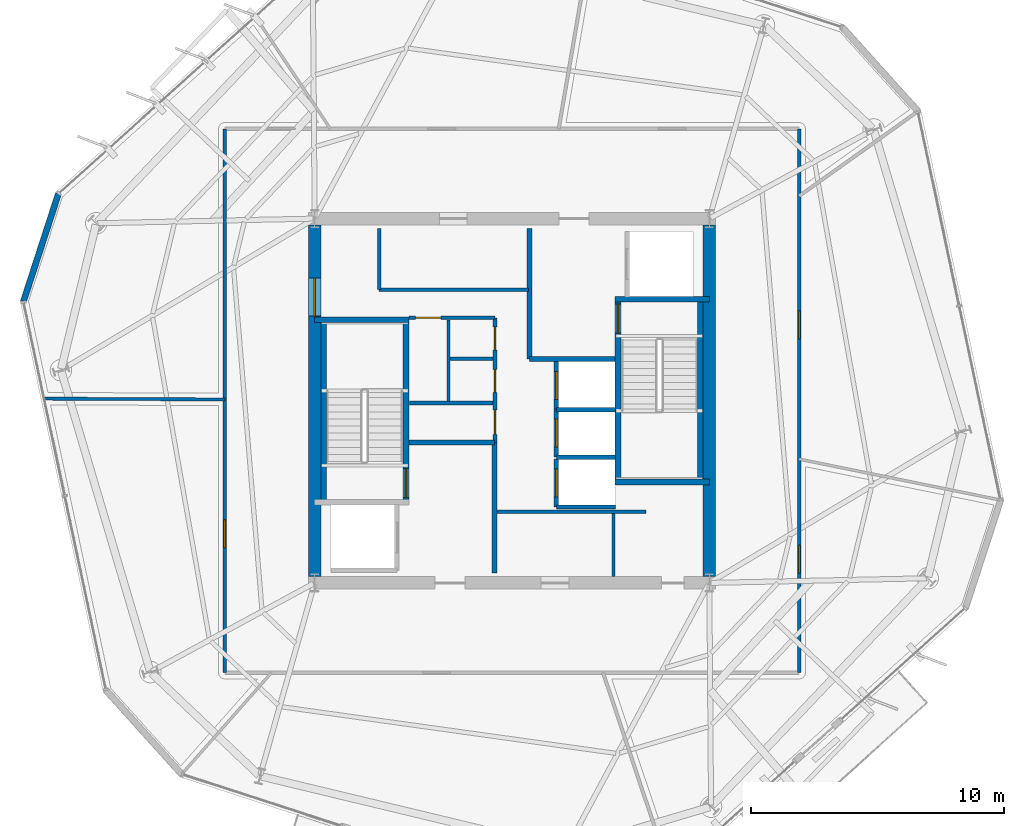
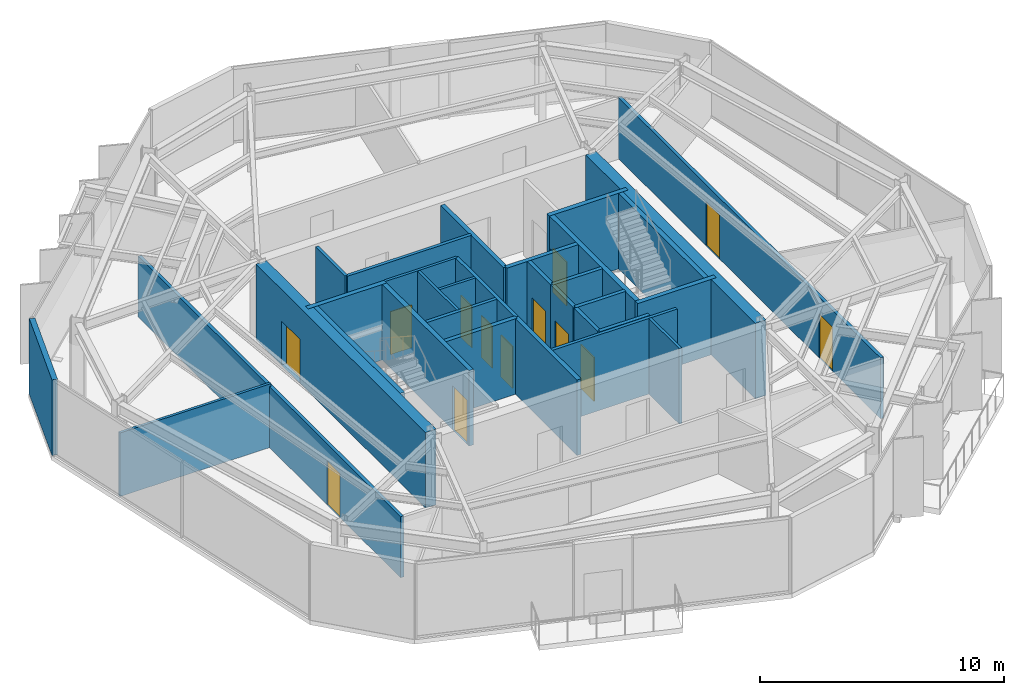
# One storey, part 7 of 11: 32 walls, 13 doors, 13 openings.
"""IFC4 building model written with IfcOpenShell, lengths in metres."""

from ifc_helpers import new_model, si_unit, direction, frame, frame_2d, origin, place, context, subcontext, project, spatial, rectangle, extrude, material, layer, layer_set, type_object, element, fill, save


model = new_model("IFC4")

# Units and contexts
model_context = context("Model", 3, precision=1e-05, world=origin(), true_north=direction((0.0, 1.0)))
body_context = subcontext(model_context, "Body", "Model", "MODEL_VIEW")
ifc_project = project(units=[si_unit("LENGTHUNIT", "METRE"), si_unit("AREAUNIT", "SQUARE_METRE"), si_unit("VOLUMEUNIT", "CUBIC_METRE"), si_unit("PLANEANGLEUNIT", "RADIAN"), si_unit("MASSUNIT", "GRAM", prefix="KILO")], contexts=[model_context])

# Site, building, storey
site_placement = place(None, origin())
site = spatial("IfcSite", under=ifc_project, at=site_placement, CompositionType="ELEMENT")
building_placement = place(site_placement, origin())
building = spatial("IfcBuilding", under=site, at=building_placement, Name="Kranzbogen Civic Tower", CompositionType="ELEMENT")
storey_placement = place(building_placement, frame((0.0, 0.0, 192.800048828125)))
storey = spatial("IfcBuildingStorey", under=building, at=storey_placement, Name="L46", CompositionType="ELEMENT", Elevation=192.800048828125)

# Walls
ifc_material_1 = material(Name="Double-Stud Acoustic Gypsum Partition")
ifc_layer_1 = layer(ifc_material_1, 0.14990234375, Name="Double-Stud Acoustic Gypsum Partition")
ifc_layer_set_1 = layer_set([ifc_layer_1], Name="Double-Stud Acoustic Gypsum Partition")
wall_type_1 = type_object("IfcWallType", Name="Acoustic Corridor and Clinical Partition 150 mm", PredefinedType="PARTITIONING", material=ifc_layer_set_1)
wall_1_placement = place(storey_placement, frame((24.39990234375, 20.610107421875, 0.0), z_axis=(0.0, 0.0, 1.0), x_axis=(1.0, 0.0, 0.0)))
element("IfcWall", 1, at=wall_1_placement, inside=storey, type_object=wall_type_1, Name="L46 records zone North wall", PredefinedType="PARTITIONING", context=body_context, shape_type="SweptSolid", body=[
    extrude(rectangle(XDim=5.900146484375, YDim=0.14990234375, at=frame_2d((2.9501953125, 0.0))), origin(), (0.0, 0.0, 1.0), 3.780029296875),
])
wall_2_placement = place(storey_placement, frame((19.75, 29.389892578125, 0.0), z_axis=(0.0, 0.0, 1.0), x_axis=(1.0, 0.0, 0.0)))
element("IfcWall", 2, at=wall_2_placement, inside=storey, type_object=wall_type_1, Name="L46 digital comms South wall", PredefinedType="PARTITIONING", context=body_context, shape_type="SweptSolid", body=[
    extrude(rectangle(XDim=5.89990234375, YDim=0.14990234375, at=frame_2d((2.949951171875, 0.0))), origin(), (0.0, 0.0, 1.0), 3.780029296875),
])
wall_3_placement = place(storey_placement, frame((19.75, 29.389892578125, 0.0), z_axis=(0.0, 0.0, 1.0), x_axis=(0.0, 1.0, 0.0)))
element("IfcWall", 3, at=wall_3_placement, inside=storey, type_object=wall_type_1, Name="L46 digital comms West wall", PredefinedType="PARTITIONING", context=body_context, shape_type="SweptSolid", body=[
    extrude(rectangle(XDim=2.41015625, YDim=0.14990234375, at=frame_2d((1.205078125, 0.0))), origin(), (0.0, 0.0, 1.0), 3.780029296875),
])

# Wall, openings, doors
wall_4_placement = place(storey_placement, frame((36.35009765625, 35.75, 0.0), z_axis=(0.0, 0.0, 1.0), x_axis=(0.0, -1.0, 0.0)))
wall_4 = element("IfcWall", 4, at=wall_4_placement, inside=storey, type_object=wall_type_1, Name="L46 corridor partition 02", PredefinedType="PARTITIONING", context=body_context, shape_type="SweptSolid", body=[
    extrude(rectangle(XDim=21.5, YDim=0.14990234375, at=frame_2d((10.75, 0.0))), origin(), (0.0, 0.0, 1.0), 3.050048828125),
])
opening_1_placement = place(wall_4_placement, frame((16.4619140625, 0.0, 0.0)))
opening_1 = element("IfcOpeningElement", 5, at=opening_1_placement, cuts=wall_4, Name="Opening D-COR60", PredefinedType="OPENING", context=body_context, shape_type="SweptSolid", body=[
    extrude(rectangle(XDim=1.10009765625, YDim=2.199951171875, at=frame_2d((0.550048828125, 1.10009765625))), frame((0.0, 0.0849609375, 0.0), z_axis=(0.0, -1.0, 0.0), x_axis=(1.0, 0.0, 0.0)), (0.0, 0.0, 1.0), 0.169921875),
])
opening_2_placement = place(wall_4_placement, frame((7.196044921875, 0.0, 0.0)))
opening_2 = element("IfcOpeningElement", 6, at=opening_2_placement, cuts=wall_4, Name="Opening D-COR60", PredefinedType="OPENING", context=body_context, shape_type="SweptSolid", body=[
    extrude(rectangle(XDim=1.10009765625, YDim=2.199951171875, at=frame_2d((0.550048828125, 1.10009765625))), frame((0.0, 0.0849609375, 0.0), z_axis=(0.0, -1.0, 0.0), x_axis=(1.0, 0.0, 0.0)), (0.0, 0.0, 1.0), 0.169921875),
])
ifc_material_2 = material(Name="Oak Timber and Fire Core", Category="wood")
door_type_1 = type_object("IfcDoorType", Name="Corridor Acoustic Fire Door 1100x2200", OperationType="NOTDEFINED", PredefinedType="DOOR", material=ifc_material_2)
door_1_placement = place(opening_1_placement, origin())
door_1 = element("IfcDoor", 7, at=door_1_placement, inside=storey, type_object=door_type_1, Name="L46 Cultural Screening Clubroom door", OperationType="SINGLE_SWING_LEFT", OverallHeight=2.199951171875, OverallWidth=1.10009765625, PredefinedType="DOOR", context=body_context, shape_type="SweptSolid", body=[
    extrude(rectangle(XDim=1.10009765625, YDim=2.199951171875, at=frame_2d((0.550048828125, 1.10009765625))), frame((0.0, 0.02490234375, 0.0), z_axis=(0.0, -1.0, 0.0), x_axis=(1.0, 0.0, 0.0)), (0.0, 0.0, 1.0), 0.050048828125),
])
fill(opening_1, door_1)
door_2_placement = place(opening_2_placement, origin())
door_2 = element("IfcDoor", 8, at=door_2_placement, inside=storey, type_object=door_type_1, Name="L46 Operations Security Control Room door", OperationType="SINGLE_SWING_RIGHT", OverallHeight=2.199951171875, OverallWidth=1.10009765625, PredefinedType="DOOR", context=body_context, shape_type="SweptSolid", body=[
    extrude(rectangle(XDim=1.10009765625, YDim=2.199951171875, at=frame_2d((0.550048828125, 1.10009765625))), frame((0.0, 0.02490234375, 0.0), z_axis=(0.0, -1.0, 0.0), x_axis=(1.0, 0.0, 0.0)), (0.0, 0.0, 1.0), 0.050048828125),
])
fill(opening_2, door_2)

# Wall, opening, door
wall_5_placement = place(storey_placement, frame((13.64990234375, 14.25, 0.0), z_axis=(0.0, 0.0, 1.0), x_axis=(0.0, 1.0, 0.0)))
wall_5 = element("IfcWall", 9, at=wall_5_placement, inside=storey, type_object=wall_type_1, Name="L46 corridor partition 04", PredefinedType="PARTITIONING", context=body_context, shape_type="SweptSolid", body=[
    extrude(rectangle(XDim=21.5, YDim=0.14990234375, at=frame_2d((10.75, 0.0))), origin(), (0.0, 0.0, 1.0), 3.050048828125),
])
opening_3_placement = place(wall_5_placement, frame((4.946044921875, 0.0, 0.0)))
opening_3 = element("IfcOpeningElement", 10, at=opening_3_placement, cuts=wall_5, Name="Opening D-COR60", PredefinedType="OPENING", context=body_context, shape_type="SweptSolid", body=[
    extrude(rectangle(XDim=1.10009765625, YDim=2.199951171875, at=frame_2d((0.550048828125, 1.10009765625))), frame((0.0, 0.0849609375, 0.0), z_axis=(0.0, -1.0, 0.0), x_axis=(1.0, 0.0, 0.0)), (0.0, 0.0, 1.0), 0.169921875),
])
door_3_placement = place(opening_3_placement, origin())
door_3 = element("IfcDoor", 11, at=door_3_placement, inside=storey, type_object=door_type_1, Name="L46 Civic Reference Library door", OperationType="SINGLE_SWING_LEFT", OverallHeight=2.199951171875, OverallWidth=1.10009765625, PredefinedType="DOOR", context=body_context, shape_type="SweptSolid", body=[
    extrude(rectangle(XDim=1.10009765625, YDim=2.199951171875, at=frame_2d((0.550048828125, 1.10009765625))), frame((0.0, 0.02490234375, 0.0), z_axis=(0.0, -1.0, 0.0), x_axis=(1.0, 0.0, 0.0)), (0.0, 0.0, 1.0), 0.050048828125),
])
fill(opening_3, door_3)

ifc_material_3 = material(Name="Insulated Metal-Stud Gypsum Partition")
ifc_layer_2 = layer(ifc_material_3, 0.125, Name="Insulated Metal-Stud Gypsum Partition")
ifc_layer_set_2 = layer_set([ifc_layer_2], Name="Insulated Metal-Stud Gypsum Partition")
wall_type_2 = type_object("IfcWallType", Name="Acoustic Inter-Room Partition 125 mm", PredefinedType="PARTITIONING", material=ifc_layer_set_2)
wall_6_placement = place(storey_placement, frame((20.919921875, 28.280029296875, 0.0), z_axis=(0.0, 0.0, 1.0), x_axis=(1.0, 0.0, 0.0)))
wall_6 = element("IfcWall", 12, at=wall_6_placement, inside=storey, type_object=wall_type_2, Name="L46 core auxiliary North wall", PredefinedType="PARTITIONING", context=body_context, shape_type="SweptSolid", body=[
    extrude(rectangle(XDim=3.405029296875, YDim=0.125, at=frame_2d((1.70263671875, 0.0))), origin(), (0.0, 0.0, 1.0), 3.780029296875),
])
opening_4_placement = place(wall_6_placement, frame((0.27001953125, 0.0, 0.0)))
opening_4 = element("IfcOpeningElement", 13, at=opening_4_placement, cuts=wall_6, Name="Opening D-RSR10", PredefinedType="OPENING", context=body_context, shape_type="SweptSolid", body=[
    extrude(rectangle(XDim=1.0, YDim=2.14990234375, at=frame_2d((0.5, 1.074951171875))), frame((0.0, 0.072509765625, 0.0), z_axis=(0.0, -1.0, 0.0), x_axis=(1.0, 0.0, 0.0)), (0.0, 0.0, 1.0), 0.14501953125),
])
door_type_2 = type_object("IfcDoorType", Name="Core Archive and Riser Fire Door 1000x2150", OperationType="NOTDEFINED", PredefinedType="DOOR", material=ifc_material_2)
door_4_placement = place(opening_4_placement, origin())
door_4 = element("IfcDoor", 14, at=door_4_placement, inside=storey, type_object=door_type_2, Name="L46 Floor Supply Store door", OperationType="SINGLE_SWING_LEFT", OverallHeight=2.14990234375, OverallWidth=1.0, PredefinedType="DOOR", context=body_context, shape_type="SweptSolid", body=[
    extrude(rectangle(XDim=1.0, YDim=2.14990234375, at=frame_2d((0.5, 1.074951171875))), frame((0.0, 0.02490234375, 0.0), z_axis=(0.0, -1.0, 0.0), x_axis=(1.0, 0.0, 0.0)), (0.0, 0.0, 1.0), 0.050048828125),
])
fill(opening_4, door_4)

# Walls
wall_7_placement = place(storey_placement, frame((29.010009765625, 18.050048828125, 0.0), z_axis=(0.0, 0.0, 1.0), x_axis=(0.0, 1.0, 0.0)))
element("IfcWall", 15, at=wall_7_placement, inside=storey, type_object=wall_type_2, Name="L46 core auxiliary partition 1", PredefinedType="PARTITIONING", context=body_context, shape_type="SweptSolid", body=[
    extrude(rectangle(XDim=2.5, YDim=0.125, at=frame_2d((1.25, 0.0))), origin(), (0.0, 0.0, 1.0), 3.780029296875),
])
wall_8_placement = place(storey_placement, frame((22.489990234375, 24.969970703125, 0.0), z_axis=(0.0, 0.0, 1.0), x_axis=(0.0, 1.0, 0.0)))
element("IfcWall", 16, at=wall_8_placement, inside=storey, type_object=wall_type_2, Name="L46 core auxiliary partition 3", PredefinedType="PARTITIONING", context=body_context, shape_type="SweptSolid", body=[
    extrude(rectangle(XDim=3.22998046875, YDim=0.125, at=frame_2d((1.614990234375, 0.0))), origin(), (0.0, 0.0, 1.0), 3.780029296875),
])
wall_9_placement = place(storey_placement, frame((22.550048828125, 26.659912109375, 0.0), z_axis=(0.0, 0.0, 1.0), x_axis=(1.0, 0.0, 0.0)))
element("IfcWall", 17, at=wall_9_placement, inside=storey, type_object=wall_type_2, Name="L46 core auxiliary partition 4", PredefinedType="PARTITIONING", context=body_context, shape_type="SweptSolid", body=[
    extrude(rectangle(XDim=1.699951171875, YDim=0.125, at=frame_2d((0.85009765625, 0.0))), origin(), (0.0, 0.0, 1.0), 3.780029296875),
])
wall_10_placement = place(storey_placement, frame((13.64990234375, 25.051025390625, 0.0), z_axis=(0.0, 0.0, 1.0), x_axis=(-0.999989303988, 0.004625138963, 0.0)))
element("IfcWall", 18, at=wall_10_placement, inside=storey, type_object=wall_type_2, Name="L46 radial room partition 03", PredefinedType="PARTITIONING", context=body_context, shape_type="SweptSolid", body=[
    extrude(rectangle(XDim=7.1259765625, YDim=0.125, at=frame_2d((3.56298828125, 0.0))), origin(), (0.0, 0.0, 1.0), 3.179931640625),
])

# Wall, opening, door
ifc_material_4 = material(Name="Concrete C45/55", Category="concrete")
ifc_layer_3 = layer(ifc_material_4, 0.5, Name="Concrete C45/55")
ifc_layer_set_3 = layer_set([ifc_layer_3], Name="Concrete C45/55")
wall_type_3 = type_object("IfcWallType", Name="Central Core Shear Wall 500 mm", PredefinedType="SHEAR", material=ifc_layer_set_3)
wall_11_placement = place(storey_placement, frame((17.199951171875, 31.949951171875, 0.0), z_axis=(0.0, 0.0, 1.0), x_axis=(0.0, -1.0, 0.0)))
wall_11 = element("IfcWall", 19, at=wall_11_placement, inside=storey, type_object=wall_type_3, Name="L46 central core West shear wall", PredefinedType="SHEAR", context=body_context, shape_type="SweptSolid", body=[
    extrude(rectangle(XDim=13.89990234375, YDim=0.5, at=frame_2d((6.949951171875, 0.0))), origin(), (0.0, 0.0, 1.0), 3.780029296875),
])
opening_5_placement = place(wall_11_placement, frame((2.10009765625, 0.0, 0.0)))
opening_5 = element("IfcOpeningElement", 20, at=opening_5_placement, cuts=wall_11, Name="Opening D-DBL15", PredefinedType="OPENING", context=body_context, shape_type="SweptSolid", body=[
    extrude(rectangle(XDim=1.5, YDim=2.199951171875, at=frame_2d((0.75, 1.10009765625))), frame((0.0, 0.260009765625, 0.0), z_axis=(0.0, -1.0, 0.0), x_axis=(1.0, 0.0, 0.0)), (0.0, 0.0, 1.0), 0.52001953125),
])
ifc_material_5 = material(Name="Anodised Bronze and Glass", Category="glass")
door_type_3 = type_object("IfcDoorType", Name="Civic Lobby Double Door 1500x2200", OperationType="DOUBLE_DOOR_SINGLE_SWING", PredefinedType="DOOR", material=ifc_material_5)
door_5_placement = place(opening_5_placement, origin())
door_5 = element("IfcDoor", 21, at=door_5_placement, inside=storey, type_object=door_type_3, Name="L46 Central Lift Lobby West concourse door", OperationType="DOUBLE_DOOR_SINGLE_SWING", OverallHeight=2.199951171875, OverallWidth=1.5, PredefinedType="DOOR", context=body_context, shape_type="SweptSolid", body=[
    extrude(rectangle(XDim=1.5, YDim=2.199951171875, at=frame_2d((0.75, 1.10009765625))), frame((0.0, 0.02490234375, 0.0), z_axis=(0.0, -1.0, 0.0), x_axis=(1.0, 0.0, 0.0)), (0.0, 0.0, 1.0), 0.050048828125),
])
fill(opening_5, door_5)

# Wall
wall_12_placement = place(storey_placement, frame((32.800048828125, 18.050048828125, 0.0), z_axis=(0.0, 0.0, 1.0), x_axis=(0.0, 1.0, 0.0)))
element("IfcWall", 22, at=wall_12_placement, inside=storey, type_object=wall_type_3, Name="L46 central core East shear wall", PredefinedType="SHEAR", context=body_context, shape_type="SweptSolid", body=[
    extrude(rectangle(XDim=13.89990234375, YDim=0.5, at=frame_2d((6.949951171875, 0.0))), origin(), (0.0, 0.0, 1.0), 3.780029296875),
])

# Wall, opening, door
ifc_layer_4 = layer(ifc_material_4, 0.219970703125, Name="Concrete C45/55")
ifc_layer_set_4 = layer_set([ifc_layer_4], Name="Concrete C45/55")
wall_type_4 = type_object("IfcWallType", Name="Core Internal Stair Structural Wall 220 mm", PredefinedType="SOLIDWALL", material=ifc_layer_set_4)
wall_13_placement = place(storey_placement, frame((20.81005859375, 20.989990234375, 0.0), z_axis=(0.0, 0.0, 1.0), x_axis=(0.0, 1.0, 0.0)))
wall_13 = element("IfcWall", 23, at=wall_13_placement, inside=storey, type_object=wall_type_4, Name="L46 ST-T1 East structural stair wall", PredefinedType="SOLIDWALL", context=body_context, shape_type="SweptSolid", body=[
    extrude(rectangle(XDim=7.219970703125, YDim=0.219970703125, at=frame_2d((3.60986328125, 0.0))), origin(), (0.0, 0.0, 1.0), 3.780029296875),
])
opening_6_placement = place(wall_13_placement, frame((0.179931640625, 0.0, 0.0)))
opening_6 = element("IfcOpeningElement", 24, at=opening_6_placement, cuts=wall_13, Name="Opening D-ST90", PredefinedType="OPENING", context=body_context, shape_type="SweptSolid", body=[
    extrude(rectangle(XDim=1.14990234375, YDim=2.199951171875, at=frame_2d((0.574951171875, 1.10009765625))), frame((0.0, 0.1201171875, 0.0), z_axis=(0.0, -1.0, 0.0), x_axis=(1.0, 0.0, 0.0)), (0.0, 0.0, 1.0), 0.239990234375),
])
ifc_material_6 = material(Name="Steel S355", Category="steel")
door_type_4 = type_object("IfcDoorType", Name="Pressurized Stair and Lobby Fire Door 1150x2200", OperationType="NOTDEFINED", PredefinedType="DOOR", material=ifc_material_6)
door_6_placement = place(opening_6_placement, origin())
door_6 = element("IfcDoor", 25, at=door_6_placement, inside=storey, type_object=door_type_4, Name="L46 Stair ST-T1 fire door", OperationType="SINGLE_SWING_RIGHT", OverallHeight=2.199951171875, OverallWidth=1.14990234375, PredefinedType="DOOR", context=body_context, shape_type="SweptSolid", body=[
    extrude(rectangle(XDim=1.14990234375, YDim=2.199951171875, at=frame_2d((0.574951171875, 1.10009765625))), frame((0.0, 0.02490234375, 0.0), z_axis=(0.0, -1.0, 0.0), x_axis=(1.0, 0.0, 0.0)), (0.0, 0.0, 1.0), 0.050048828125),
])
fill(opening_6, door_6)

# Walls
wall_14_placement = place(storey_placement, frame((17.199951171875, 28.2099609375, 0.0), z_axis=(0.0, 0.0, 1.0), x_axis=(1.0, 0.0, 0.0)))
element("IfcWall", 26, at=wall_14_placement, inside=storey, type_object=wall_type_4, Name="L46 ST-T1 North structural stair wall", PredefinedType="SOLIDWALL", context=body_context, shape_type="SweptSolid", body=[
    extrude(rectangle(XDim=3.719970703125, YDim=0.219970703125, at=frame_2d((1.85986328125, 0.0))), origin(), (0.0, 0.0, 1.0), 3.780029296875),
])
wall_15_placement = place(storey_placement, frame((17.554931640625, 28.2099609375, 0.0), z_axis=(0.0, 0.0, 1.0), x_axis=(0.0, -1.0, 0.0)))
element("IfcWall", 27, at=wall_15_placement, inside=storey, type_object=wall_type_4, Name="L46 ST-T1 West structural stair wall", PredefinedType="SOLIDWALL", context=body_context, shape_type="SweptSolid", body=[
    extrude(rectangle(XDim=7.219970703125, YDim=0.219970703125, at=frame_2d((3.60986328125, 0.0))), origin(), (0.0, 0.0, 1.0), 3.780029296875),
])

# Wall, opening, door
wall_16_placement = place(storey_placement, frame((29.18994140625, 21.7900390625, 0.0), z_axis=(0.0, 0.0, 1.0), x_axis=(0.0, 1.0, 0.0)))
wall_16 = element("IfcWall", 28, at=wall_16_placement, inside=storey, type_object=wall_type_4, Name="L46 ST-T2 West structural stair wall", PredefinedType="SOLIDWALL", context=body_context, shape_type="SweptSolid", body=[
    extrude(rectangle(XDim=7.219970703125, YDim=0.219970703125, at=frame_2d((3.60986328125, 0.0))), origin(), (0.0, 0.0, 1.0), 3.780029296875),
])
opening_7_placement = place(wall_16_placement, frame((5.8798828125, 0.0, 0.0)))
opening_7 = element("IfcOpeningElement", 29, at=opening_7_placement, cuts=wall_16, Name="Opening D-ST90", PredefinedType="OPENING", context=body_context, shape_type="SweptSolid", body=[
    extrude(rectangle(XDim=1.14990234375, YDim=2.199951171875, at=frame_2d((0.574951171875, 1.10009765625))), frame((0.0, 0.1201171875, 0.0), z_axis=(0.0, -1.0, 0.0), x_axis=(1.0, 0.0, 0.0)), (0.0, 0.0, 1.0), 0.239990234375),
])
door_7_placement = place(opening_7_placement, origin())
door_7 = element("IfcDoor", 30, at=door_7_placement, inside=storey, type_object=door_type_4, Name="L46 Stair ST-T2 fire door", OperationType="SINGLE_SWING_LEFT", OverallHeight=2.199951171875, OverallWidth=1.14990234375, PredefinedType="DOOR", context=body_context, shape_type="SweptSolid", body=[
    extrude(rectangle(XDim=1.14990234375, YDim=2.199951171875, at=frame_2d((0.574951171875, 1.10009765625))), frame((0.0, 0.02490234375, 0.0), z_axis=(0.0, -1.0, 0.0), x_axis=(1.0, 0.0, 0.0)), (0.0, 0.0, 1.0), 0.050048828125),
])
fill(opening_7, door_7)

# Walls
for number, where, z_axis, x_axis, name in (
    (31, (29.080078125, 21.7900390625, 0.0), (0.0, 0.0, 1.0), (1.0, 0.0, 0.0), "L46 ST-T2 South structural stair wall"),
    (32, (29.080078125, 29.010009765625, 0.0), (0.0, 0.0, 1.0), (1.0, 0.0, 0.0), "L46 ST-T2 North structural stair wall"),
):
    element("IfcWall", number, at=place(storey_placement, frame(where, z_axis=z_axis, x_axis=x_axis)), inside=storey, type_object=wall_type_4, Name=name, PredefinedType="SOLIDWALL", context=body_context, shape_type="SweptSolid", body=[
        extrude(rectangle(XDim=3.719970703125, YDim=0.219970703125, at=frame_2d((1.85986328125, 0.0))), origin(), (0.0, 0.0, 1.0), 3.780029296875),
    ])
wall_17_placement = place(storey_placement, frame((32.445068359375, 29.010009765625, 0.0), z_axis=(0.0, 0.0, 1.0), x_axis=(0.0, -1.0, 0.0)))
element("IfcWall", 33, at=wall_17_placement, inside=storey, type_object=wall_type_4, Name="L46 ST-T2 East structural stair wall", PredefinedType="SOLIDWALL", context=body_context, shape_type="SweptSolid", body=[
    extrude(rectangle(XDim=7.219970703125, YDim=0.219970703125, at=frame_2d((3.60986328125, 0.0))), origin(), (0.0, 0.0, 1.0), 3.780029296875),
])
ifc_material_7 = material(Name="Gypsum Fireboard and Concrete Block", Category="concrete")
ifc_layer_5 = layer(ifc_material_7, 0.199951171875, Name="Gypsum Fireboard and Concrete Block")
ifc_layer_set_5 = layer_set([ifc_layer_5], Name="Gypsum Fireboard and Concrete Block")
wall_type_5 = type_object("IfcWallType", Name="Fire-Rated Exit Passageway and Stair Wall 200 mm", PredefinedType="PARTITIONING", material=ifc_layer_set_5)
wall_18_placement = place(storey_placement, frame((24.300048828125, 18.199951171875, 0.0), z_axis=(0.0, 0.0, 1.0), x_axis=(0.0, 1.0, 0.0)))
element("IfcWall", 34, at=wall_18_placement, inside=storey, type_object=wall_type_5, Name="L46 West firefighting lobby East wall", PredefinedType="PARTITIONING", context=body_context, shape_type="SweptSolid", body=[
    extrude(rectangle(XDim=5.150146484375, YDim=0.199951171875, at=frame_2d((2.5751953125, 0.0))), origin(), (0.0, 0.0, 1.0), 3.780029296875),
])
wall_19_placement = place(storey_placement, frame((20.919921875, 23.35009765625, 0.0), z_axis=(0.0, 0.0, 1.0), x_axis=(1.0, 0.0, 0.0)))
element("IfcWall", 35, at=wall_19_placement, inside=storey, type_object=wall_type_5, Name="L46 West firefighting lobby North wall", PredefinedType="PARTITIONING", context=body_context, shape_type="SweptSolid", body=[
    extrude(rectangle(XDim=3.380126953125, YDim=0.199951171875, at=frame_2d((1.68994140625, 0.0))), origin(), (0.0, 0.0, 1.0), 3.780029296875),
])
wall_20_placement = place(storey_placement, frame((25.699951171875, 26.64990234375, 0.0), z_axis=(0.0, 0.0, 1.0), x_axis=(0.0, 1.0, 0.0)))
element("IfcWall", 36, at=wall_20_placement, inside=storey, type_object=wall_type_5, Name="L46 East firefighting lobby West wall", PredefinedType="PARTITIONING", context=body_context, shape_type="SweptSolid", body=[
    extrude(rectangle(XDim=5.150146484375, YDim=0.199951171875, at=frame_2d((2.5751953125, 0.0))), origin(), (0.0, 0.0, 1.0), 3.780029296875),
])
wall_21_placement = place(storey_placement, frame((25.699951171875, 26.64990234375, 0.0), z_axis=(0.0, 0.0, 1.0), x_axis=(1.0, 0.0, 0.0)))
element("IfcWall", 37, at=wall_21_placement, inside=storey, type_object=wall_type_5, Name="L46 East firefighting lobby South wall", PredefinedType="PARTITIONING", context=body_context, shape_type="SweptSolid", body=[
    extrude(rectangle(XDim=3.380126953125, YDim=0.199951171875, at=frame_2d((1.68994140625, 0.0))), origin(), (0.0, 0.0, 1.0), 3.780029296875),
])

# Wall, opening, door
ifc_material_8 = material(Name="Gypsum Fireboard Shaftliner")
ifc_layer_6 = layer(ifc_material_8, 0.175048828125, Name="Gypsum Fireboard Shaftliner")
ifc_layer_set_6 = layer_set([ifc_layer_6], Name="Gypsum Fireboard Shaftliner")
wall_type_6 = type_object("IfcWallType", Name="Fire-Rated Lift and Service Shaft Wall 175 mm", PredefinedType="PARTITIONING", material=ifc_layer_set_6)
wall_22_placement = place(storey_placement, frame((26.75, 20.800048828125, 0.0), z_axis=(0.0, 0.0, 1.0), x_axis=(0.0, 1.0, 0.0)))
wall_22 = element("IfcWall", 38, at=wall_22_placement, inside=storey, type_object=wall_type_6, Name="L46 lift HP-01 landing wall", PredefinedType="PARTITIONING", context=body_context, shape_type="SweptSolid", body=[
    extrude(rectangle(XDim=1.89990234375, YDim=0.175048828125, at=frame_2d((0.949951171875, 0.0))), origin(), (0.0, 0.0, 1.0), 3.780029296875),
])
opening_8_placement = place(wall_22_placement, frame((0.39990234375, 0.0, 0.0)))
opening_8 = element("IfcOpeningElement", 39, at=opening_8_placement, cuts=wall_22, Name="Opening LD-HP-01", PredefinedType="OPENING", context=body_context, shape_type="SweptSolid", body=[
    extrude(rectangle(XDim=1.10009765625, YDim=2.199951171875, at=frame_2d((0.550048828125, 1.10009765625))), frame((0.0, 0.09765625, 0.0), z_axis=(0.0, -1.0, 0.0), x_axis=(1.0, 0.0, 0.0)), (0.0, 0.0, 1.0), 0.195068359375),
])
ifc_material_9 = material(Name="Pale Anodised Aluminium", Category="aluminium")
door_type_5 = type_object("IfcDoorType", Name="Passenger Lift Sliding Landing Door 1100x2200", OperationType="DOUBLE_DOOR_SLIDING", PredefinedType="DOOR", material=ifc_material_9)
door_8_placement = place(opening_8_placement, origin())
door_8 = element("IfcDoor", 40, at=door_8_placement, inside=storey, type_object=door_type_5, Name="L46 lift HP-01 sliding landing door", OperationType="DOUBLE_DOOR_SLIDING", OverallHeight=2.199951171875, OverallWidth=1.10009765625, PredefinedType="DOOR", context=body_context, shape_type="SweptSolid", body=[
    extrude(rectangle(XDim=1.10009765625, YDim=2.199951171875, at=frame_2d((0.550048828125, 1.10009765625))), frame((0.0, 0.02490234375, 0.0), z_axis=(0.0, -1.0, 0.0), x_axis=(1.0, 0.0, 0.0)), (0.0, 0.0, 1.0), 0.050048828125),
])
fill(opening_8, door_8)

# Wall
wall_23_placement = place(storey_placement, frame((26.75, 20.800048828125, 0.0), z_axis=(0.0, 0.0, 1.0), x_axis=(1.0, 0.0, 0.0)))
element("IfcWall", 41, at=wall_23_placement, inside=storey, type_object=wall_type_6, Name="L46 lift HP-01 side wall", PredefinedType="PARTITIONING", context=body_context, shape_type="SweptSolid", body=[
    extrude(rectangle(XDim=2.35009765625, YDim=0.175048828125, at=frame_2d((1.175048828125, 0.0))), origin(), (0.0, 0.0, 1.0), 3.780029296875),
])

# Wall, opening, door
wall_24_placement = place(storey_placement, frame((26.75, 22.77490234375, 0.0), z_axis=(0.0, 0.0, 1.0), x_axis=(0.0, 1.0, 0.0)))
wall_24 = element("IfcWall", 42, at=wall_24_placement, inside=storey, type_object=wall_type_6, Name="L46 lift HP-02 landing wall", PredefinedType="PARTITIONING", context=body_context, shape_type="SweptSolid", body=[
    extrude(rectangle(XDim=1.900146484375, YDim=0.175048828125, at=frame_2d((0.9501953125, 0.0))), origin(), (0.0, 0.0, 1.0), 3.780029296875),
])
opening_9_placement = place(wall_24_placement, frame((0.39990234375, 0.0, 0.0)))
opening_9 = element("IfcOpeningElement", 43, at=opening_9_placement, cuts=wall_24, Name="Opening LD-HP-02", PredefinedType="OPENING", context=body_context, shape_type="SweptSolid", body=[
    extrude(rectangle(XDim=1.10009765625, YDim=2.199951171875, at=frame_2d((0.550048828125, 1.10009765625))), frame((0.0, 0.09765625, 0.0), z_axis=(0.0, -1.0, 0.0), x_axis=(1.0, 0.0, 0.0)), (0.0, 0.0, 1.0), 0.195068359375),
])
door_9_placement = place(opening_9_placement, origin())
door_9 = element("IfcDoor", 44, at=door_9_placement, inside=storey, type_object=door_type_5, Name="L46 lift HP-02 sliding landing door", OperationType="DOUBLE_DOOR_SLIDING", OverallHeight=2.199951171875, OverallWidth=1.10009765625, PredefinedType="DOOR", context=body_context, shape_type="SweptSolid", body=[
    extrude(rectangle(XDim=1.10009765625, YDim=2.199951171875, at=frame_2d((0.550048828125, 1.10009765625))), frame((0.0, 0.02490234375, 0.0), z_axis=(0.0, -1.0, 0.0), x_axis=(1.0, 0.0, 0.0)), (0.0, 0.0, 1.0), 0.050048828125),
])
fill(opening_9, door_9)

# Wall
wall_25_placement = place(storey_placement, frame((26.75, 22.77490234375, 0.0), z_axis=(0.0, 0.0, 1.0), x_axis=(1.0, 0.0, 0.0)))
element("IfcWall", 45, at=wall_25_placement, inside=storey, type_object=wall_type_6, Name="L46 lift HP-02 side wall", PredefinedType="PARTITIONING", context=body_context, shape_type="SweptSolid", body=[
    extrude(rectangle(XDim=2.35009765625, YDim=0.175048828125, at=frame_2d((1.175048828125, 0.0))), origin(), (0.0, 0.0, 1.0), 3.780029296875),
])

# Wall, opening, door
wall_26_placement = place(storey_placement, frame((26.75, 24.64990234375, 0.0), z_axis=(0.0, 0.0, 1.0), x_axis=(0.0, 1.0, 0.0)))
wall_26 = element("IfcWall", 46, at=wall_26_placement, inside=storey, type_object=wall_type_6, Name="L46 lift HP-03 landing wall", PredefinedType="PARTITIONING", context=body_context, shape_type="SweptSolid", body=[
    extrude(rectangle(XDim=1.900146484375, YDim=0.175048828125, at=frame_2d((0.9501953125, 0.0))), origin(), (0.0, 0.0, 1.0), 3.780029296875),
])
opening_10_placement = place(wall_26_placement, frame((0.39990234375, 0.0, 0.0)))
opening_10 = element("IfcOpeningElement", 47, at=opening_10_placement, cuts=wall_26, Name="Opening LD-HP-03", PredefinedType="OPENING", context=body_context, shape_type="SweptSolid", body=[
    extrude(rectangle(XDim=1.10009765625, YDim=2.199951171875, at=frame_2d((0.550048828125, 1.10009765625))), frame((0.0, 0.09765625, 0.0), z_axis=(0.0, -1.0, 0.0), x_axis=(1.0, 0.0, 0.0)), (0.0, 0.0, 1.0), 0.195068359375),
])
door_10_placement = place(opening_10_placement, origin())
door_10 = element("IfcDoor", 48, at=door_10_placement, inside=storey, type_object=door_type_5, Name="L46 lift HP-03 sliding landing door", OperationType="DOUBLE_DOOR_SLIDING", OverallHeight=2.199951171875, OverallWidth=1.10009765625, PredefinedType="DOOR", context=body_context, shape_type="SweptSolid", body=[
    extrude(rectangle(XDim=1.10009765625, YDim=2.199951171875, at=frame_2d((0.550048828125, 1.10009765625))), frame((0.0, 0.02490234375, 0.0), z_axis=(0.0, -1.0, 0.0), x_axis=(1.0, 0.0, 0.0)), (0.0, 0.0, 1.0), 0.050048828125),
])
fill(opening_10, door_10)

# Walls
wall_27_placement = place(storey_placement, frame((26.75, 24.64990234375, 0.0), z_axis=(0.0, 0.0, 1.0), x_axis=(1.0, 0.0, 0.0)))
element("IfcWall", 49, at=wall_27_placement, inside=storey, type_object=wall_type_6, Name="L46 lift HP-03 side wall", PredefinedType="PARTITIONING", context=body_context, shape_type="SweptSolid", body=[
    extrude(rectangle(XDim=2.35009765625, YDim=0.175048828125, at=frame_2d((1.175048828125, 0.0))), origin(), (0.0, 0.0, 1.0), 3.780029296875),
])
ifc_layer_7 = layer(ifc_material_9, 0.239990234375, Name="Pale Anodised Aluminium")
ifc_layer_set_7 = layer_set([ifc_layer_7], Name="Pale Anodised Aluminium")
wall_type_7 = type_object("IfcWallType", Name="Insulated Aluminium Facade Portal Wall 240 mm", PredefinedType="STANDARD", material=ifc_layer_set_7)
wall_28_placement = place(storey_placement, frame((7.071044921875, 33.175048828125, 0.0), z_axis=(0.0, 0.0, 1.0), x_axis=(-0.309056424215, -0.95104370386, 0.0)))
element("IfcWall", 50, at=wall_28_placement, inside=storey, type_object=wall_type_7, Name="L46 chamfered corner facade spandrel 2", PredefinedType="STANDARD", context=body_context, shape_type="SweptSolid", body=[
    extrude(rectangle(XDim=4.46875, YDim=0.239990234375, at=frame_2d((2.234375, 0.0))), origin(), (0.0, 0.0, 1.0), 3.780029296875),
])

# Wall, openings, doors
ifc_material_10 = material(Name="Moisture-Resistant Gypsum Assembly")
ifc_layer_8 = layer(ifc_material_10, 0.159912109375, Name="Moisture-Resistant Gypsum Assembly")
ifc_layer_set_8 = layer_set([ifc_layer_8], Name="Moisture-Resistant Gypsum Assembly")
wall_type_8 = type_object("IfcWallType", Name="Sanitary and Plumbing Wet Wall 160 mm", PredefinedType="PLUMBINGWALL", material=ifc_layer_set_8)
wall_29_placement = place(storey_placement, frame((24.324951171875, 23.35009765625, 0.0), z_axis=(0.0, 0.0, 1.0), x_axis=(0.0, 1.0, 0.0)))
wall_29 = element("IfcWall", 51, at=wall_29_placement, inside=storey, type_object=wall_type_8, Name="L46 core auxiliary East wall", PredefinedType="PLUMBINGWALL", context=body_context, shape_type="SweptSolid", body=[
    extrude(rectangle(XDim=4.929931640625, YDim=0.159912109375, at=frame_2d((2.46484375, 0.0))), origin(), (0.0, 0.0, 1.0), 3.780029296875),
])
opening_11_placement = place(wall_29_placement, frame((0.324951171875, 0.0, 0.0)))
opening_11 = element("IfcOpeningElement", 52, at=opening_11_placement, cuts=wall_29, Name="Opening D-AWC95", PredefinedType="OPENING", context=body_context, shape_type="SweptSolid", body=[
    extrude(rectangle(XDim=0.949951171875, YDim=2.10009765625, at=frame_2d((0.47509765625, 1.050048828125))), frame((0.0, 0.08984375, 0.0), z_axis=(0.0, -1.0, 0.0), x_axis=(1.0, 0.0, 0.0)), (0.0, 0.0, 1.0), 0.179931640625),
])
opening_12_placement = place(wall_29_placement, frame((1.985107421875, 0.0, 0.0)))
opening_12 = element("IfcOpeningElement", 53, at=opening_12_placement, cuts=wall_29, Name="Opening D-WC90", PredefinedType="OPENING", context=body_context, shape_type="SweptSolid", body=[
    extrude(rectangle(XDim=0.89990234375, YDim=2.10009765625, at=frame_2d((0.449951171875, 1.050048828125))), frame((0.0, 0.08984375, 0.0), z_axis=(0.0, -1.0, 0.0), x_axis=(1.0, 0.0, 0.0)), (0.0, 0.0, 1.0), 0.179931640625),
])
opening_13_placement = place(wall_29_placement, frame((3.659912109375, 0.0, 0.0)))
opening_13 = element("IfcOpeningElement", 54, at=opening_13_placement, cuts=wall_29, Name="Opening D-WC90", PredefinedType="OPENING", context=body_context, shape_type="SweptSolid", body=[
    extrude(rectangle(XDim=0.89990234375, YDim=2.10009765625, at=frame_2d((0.449951171875, 1.050048828125))), frame((0.0, 0.08984375, 0.0), z_axis=(0.0, -1.0, 0.0), x_axis=(1.0, 0.0, 0.0)), (0.0, 0.0, 1.0), 0.179931640625),
])
ifc_material_11 = material(Name="Moisture-Resistant Laminate")
door_type_6 = type_object("IfcDoorType", Name="Accessible Restroom Door 950x2100", OperationType="NOTDEFINED", PredefinedType="DOOR", material=ifc_material_11)
door_11_placement = place(opening_11_placement, origin())
door_11 = element("IfcDoor", 55, at=door_11_placement, inside=storey, type_object=door_type_6, Name="L46 Accessible Restroom door", OperationType="SINGLE_SWING_RIGHT", OverallHeight=2.10009765625, OverallWidth=0.949951171875, PredefinedType="DOOR", context=body_context, shape_type="SweptSolid", body=[
    extrude(rectangle(XDim=0.949951171875, YDim=2.10009765625, at=frame_2d((0.47509765625, 1.050048828125))), frame((0.0, 0.02490234375, 0.0), z_axis=(0.0, -1.0, 0.0), x_axis=(1.0, 0.0, 0.0)), (0.0, 0.0, 1.0), 0.050048828125),
])
fill(opening_11, door_11)
door_type_7 = type_object("IfcDoorType", Name="Standard Restroom and Store Door 900x2100", OperationType="NOTDEFINED", PredefinedType="DOOR", material=ifc_material_11)
door_12_placement = place(opening_12_placement, origin())
door_12 = element("IfcDoor", 56, at=door_12_placement, inside=storey, type_object=door_type_7, Name="L46 Gender-Neutral Restroom door", OperationType="SINGLE_SWING_LEFT", OverallHeight=2.10009765625, OverallWidth=0.89990234375, PredefinedType="DOOR", context=body_context, shape_type="SweptSolid", body=[
    extrude(rectangle(XDim=0.89990234375, YDim=2.10009765625, at=frame_2d((0.449951171875, 1.050048828125))), frame((0.0, 0.02490234375, 0.0), z_axis=(0.0, -1.0, 0.0), x_axis=(1.0, 0.0, 0.0)), (0.0, 0.0, 1.0), 0.050048828125),
])
fill(opening_12, door_12)
door_13_placement = place(opening_13_placement, origin())
door_13 = element("IfcDoor", 57, at=door_13_placement, inside=storey, type_object=door_type_7, Name="L46 Floor IT Patch Closet door", OperationType="SINGLE_SWING_RIGHT", OverallHeight=2.10009765625, OverallWidth=0.89990234375, PredefinedType="DOOR", context=body_context, shape_type="SweptSolid", body=[
    extrude(rectangle(XDim=0.89990234375, YDim=2.10009765625, at=frame_2d((0.449951171875, 1.050048828125))), frame((0.0, 0.02490234375, 0.0), z_axis=(0.0, -1.0, 0.0), x_axis=(1.0, 0.0, 0.0)), (0.0, 0.0, 1.0), 0.050048828125),
])
fill(opening_13, door_13)

# Wall
wall_30_placement = place(storey_placement, frame((20.949951171875, 24.909912109375, 0.0), z_axis=(0.0, 0.0, 1.0), x_axis=(1.0, 0.0, 0.0)))
element("IfcWall", 58, at=wall_30_placement, inside=storey, type_object=wall_type_8, Name="L46 core auxiliary partition 2", PredefinedType="PLUMBINGWALL", context=body_context, shape_type="SweptSolid", body=[
    extrude(rectangle(XDim=3.300048828125, YDim=0.159912109375, at=frame_2d((1.64990234375, 0.0))), origin(), (0.0, 0.0, 1.0), 3.780029296875),
])

save(model, "model.ifc")
